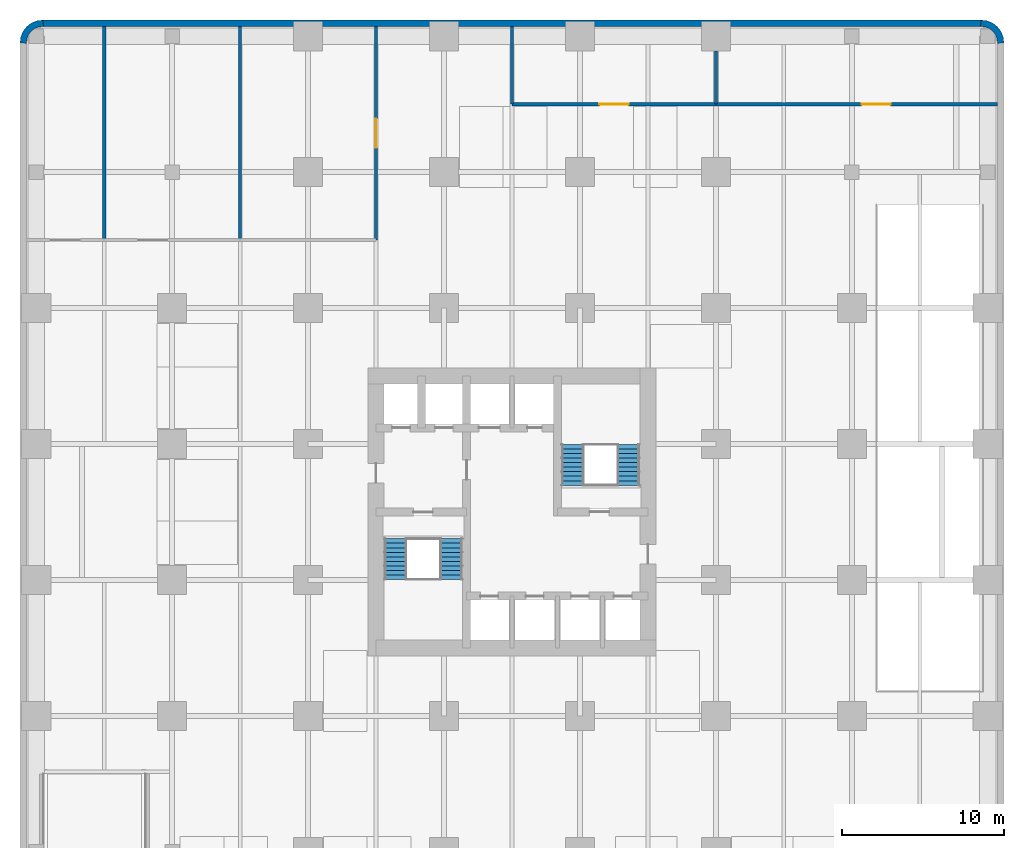
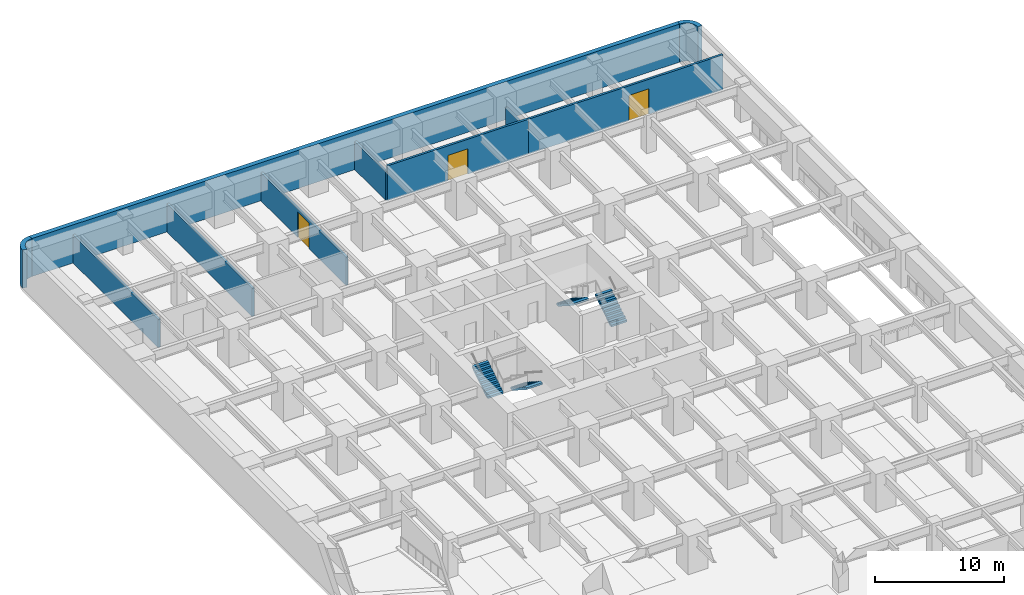
# One storey, part 6 of 9: 10 walls, 4 stair flights, 3 doors, 3 openings, 2 elements without a shape of their own.
"""IFC4 building model written with IfcOpenShell, lengths in metres."""

from ifc_helpers import new_model, si_unit, direction, frame, frame_2d, origin, place, context, subcontext, project, spatial, polyline, rectangle, outline, extrude, material, layer, layer_set, type_object, element, fill, aggregate, save


model = new_model("IFC4")

# Units and contexts
model_context = context("Model", 3, precision=1e-05, world=origin(), true_north=direction((0.0, 1.0)))
body_context = subcontext(model_context, "Body", "Model", "MODEL_VIEW")
ifc_project = project(units=[si_unit("LENGTHUNIT", "METRE"), si_unit("AREAUNIT", "SQUARE_METRE"), si_unit("VOLUMEUNIT", "CUBIC_METRE"), si_unit("PLANEANGLEUNIT", "RADIAN"), si_unit("MASSUNIT", "GRAM", prefix="KILO")], contexts=[model_context])

# Site, building, storey
site_placement = place(None, origin())
site = spatial("IfcSite", under=ifc_project, at=site_placement, CompositionType="ELEMENT")
building_placement = place(site_placement, origin())
building = spatial("IfcBuilding", under=site, at=building_placement, Name="Torre Alcanfor", CompositionType="ELEMENT")
storey_placement = place(building_placement, frame((0.0, 0.0, -3.60009765625)))
storey = spatial("IfcBuildingStorey", under=building, at=storey_placement, Name="B1", CompositionType="ELEMENT", Elevation=-3.60009765625)

# Walls
ifc_material_1 = material(Name="Concrete f'c 70 MPa", Category="concrete")
ifc_layer_1 = layer(ifc_material_1, 0.39990234375)
ifc_layer_set_1 = layer_set([ifc_layer_1], Name="Basement retaining wall 400")
wall_type_1 = type_object("IfcWallType", Name="Basement retaining wall 400", PredefinedType="SOLIDWALL", material=ifc_layer_set_1)
wall_1_placement = place(storey_placement, frame((58.39990234375, 59.60009765625, 0.0), z_axis=(0.0, 0.0, 1.0), x_axis=(-1.0, 0.0, 0.0)))
element("IfcWall", 1, at=wall_1_placement, inside=storey, type_object=wall_type_1, Name="Retaining wall B1 2", PredefinedType="SOLIDWALL", context=body_context, shape_type="SweptSolid", body=[
    extrude(rectangle(XDim=58.0, YDim=0.39990234375, at=frame_2d((29.0, 0.0))), origin(), (0.0, 0.0, 1.0), 3.60009765625),
])
wall_2_placement = place(storey_placement, origin())
element("IfcWall", 2, at=wall_2_placement, inside=storey, type_object=wall_type_1, Name="Retaining wall corner B1 5", PredefinedType="SOLIDWALL", context=body_context, shape_type="SweptSolid", body=[
    extrude(outline(polyline([(58.39990234375, 59.800048828125), (58.347412109375, 59.39990234375), (58.373779296875, 59.39990234375), (58.657958984375, 59.362548828125), (58.898193359375, 59.262939453125), (59.1044921875, 59.1044921875), (59.262939453125, 58.898193359375), (59.362548828125, 58.657958984375), (59.39990234375, 58.373779296875), (59.39990234375, 58.347412109375), (59.800048828125, 58.39990234375), (59.752197265625, 58.76220703125), (59.6123046875, 59.10009765625), (59.389892578125, 59.389892578125), (59.10009765625, 59.6123046875), (58.76220703125, 59.752197265625), (58.39990234375, 59.800048828125)])), origin(), (0.0, 0.0, 1.0), 3.60009765625),
])
wall_3_placement = place(storey_placement, origin())
element("IfcWall", 3, at=wall_3_placement, inside=storey, type_object=wall_type_1, Name="Retaining wall corner B1 6", PredefinedType="SOLIDWALL", context=body_context, shape_type="SweptSolid", body=[
    extrude(outline(polyline([(-1.0, 58.39990234375), (-0.60009765625, 58.347412109375), (-0.60009765625, 58.373779296875), (-0.5625, 58.657958984375), (-0.462890625, 58.898193359375), (-0.3046875, 59.1044921875), (-0.09814453125, 59.262939453125), (0.14208984375, 59.362548828125), (0.42626953125, 59.39990234375), (0.45263671875, 59.39990234375), (0.39990234375, 59.800048828125), (0.03759765625, 59.752197265625), (-0.300048828125, 59.6123046875), (-0.58984375, 59.389892578125), (-0.8125, 59.10009765625), (-0.952392578125, 58.76220703125), (-1.0, 58.39990234375)])), origin(), (0.0, 0.0, 1.0), 3.60009765625),
])

# Wall, opening, door
ifc_material_2 = material(Name="Concrete block masonry, hollow blocks NMX-C-404 9 MPa", Category="masonry")
ifc_layer_2 = layer(ifc_material_2, 0.199951171875)
ifc_layer_set_2 = layer_set([ifc_layer_2], Name="Plant room wall 200 EI 60")
wall_type_2 = type_object("IfcWallType", Name="Plant room wall 200 EI 60", PredefinedType="PARTITIONING", material=ifc_layer_set_2)
wall_4_placement = place(storey_placement, frame((42.0, 54.60009765625, 0.0), z_axis=(0.0, 0.0, 1.0), x_axis=(1.0, 0.0, 0.0)))
wall_4 = element("IfcWall", 4, at=wall_4_placement, inside=storey, type_object=wall_type_2, Name="Partition B1-PARK / B1-SUB", PredefinedType="PARTITIONING", context=body_context, shape_type="SweptSolid", body=[
    extrude(rectangle(XDim=17.39990234375, YDim=0.199951171875, at=frame_2d((8.699951171875, 0.0))), origin(), (0.0, 0.0, 1.0), 3.300048828125),
])
opening_1_placement = place(wall_4_placement, frame((9.0, 0.0, 0.0)))
opening_1 = element("IfcOpeningElement", 5, at=opening_1_placement, cuts=wall_4, Name="Opening D-P1", PredefinedType="OPENING", context=body_context, shape_type="SweptSolid", body=[
    extrude(rectangle(XDim=1.800048828125, YDim=2.39990234375, at=frame_2d((0.89990234375, 1.199951171875))), frame((0.0, 0.10986328125, 0.0), z_axis=(0.0, -1.0, 0.0), x_axis=(1.0, 0.0, 0.0)), (0.0, 0.0, 1.0), 0.219970703125),
])
ifc_material_3 = material(Name="Galvanised steel sheet ASTM A653", Category="steel")
door_type = type_object("IfcDoorType", Name="Plant room door FD60 1800x2400", OperationType="DOUBLE_DOOR_SINGLE_SWING", PredefinedType="DOOR", material=ifc_material_3)
door_1_placement = place(opening_1_placement, origin())
door_1 = element("IfcDoor", 6, at=door_1_placement, inside=storey, type_object=door_type, Name="Door B1-SUB electrical substation", OperationType="DOUBLE_DOOR_SINGLE_SWING", OverallHeight=2.39990234375, OverallWidth=1.800048828125, PredefinedType="DOOR", context=body_context, shape_type="SweptSolid", body=[
    extrude(rectangle(XDim=1.800048828125, YDim=2.39990234375, at=frame_2d((0.89990234375, 1.199951171875))), frame((0.0, 0.02490234375, 0.0), z_axis=(0.0, -1.0, 0.0), x_axis=(1.0, 0.0, 0.0)), (0.0, 0.0, 1.0), 0.050048828125),
])
fill(opening_1, door_1)

wall_5_placement = place(storey_placement, frame((21.0, 46.199951171875, 0.0), z_axis=(0.0, 0.0, 1.0), x_axis=(0.0, 1.0, 0.0)))
wall_5 = element("IfcWall", 7, at=wall_5_placement, inside=storey, type_object=wall_type_2, Name="Partition B1-PARK / B1-R03", PredefinedType="PARTITIONING", context=body_context, shape_type="SweptSolid", body=[
    extrude(rectangle(XDim=13.199951171875, YDim=0.199951171875, at=frame_2d((6.60009765625, 0.0))), origin(), (0.0, 0.0, 1.0), 2.68798828125),
])
opening_2_placement = place(wall_5_placement, frame((5.699951171875, 0.0, 0.0)))
opening_2 = element("IfcOpeningElement", 8, at=opening_2_placement, cuts=wall_5, Name="Opening D-P1", PredefinedType="OPENING", context=body_context, shape_type="SweptSolid", body=[
    extrude(rectangle(XDim=1.800048828125, YDim=2.39990234375, at=frame_2d((0.89990234375, 1.199951171875))), frame((0.0, 0.10986328125, 0.0), z_axis=(0.0, -1.0, 0.0), x_axis=(1.0, 0.0, 0.0)), (0.0, 0.0, 1.0), 0.219970703125),
])
door_2_placement = place(opening_2_placement, origin())
door_2 = element("IfcDoor", 9, at=door_2_placement, inside=storey, type_object=door_type, Name="Door B1-R03 generator room 2", OperationType="DOUBLE_DOOR_SINGLE_SWING", OverallHeight=2.39990234375, OverallWidth=1.800048828125, PredefinedType="DOOR", context=body_context, shape_type="SweptSolid", body=[
    extrude(rectangle(XDim=1.800048828125, YDim=2.39990234375, at=frame_2d((0.89990234375, 1.199951171875))), frame((0.0, 0.02490234375, 0.0), z_axis=(0.0, -1.0, 0.0), x_axis=(1.0, 0.0, 0.0)), (0.0, 0.0, 1.0), 0.050048828125),
])
fill(opening_2, door_2)

# Wall
wall_6_placement = place(storey_placement, frame((29.39990234375, 59.39990234375, 0.0), z_axis=(0.0, 0.0, 1.0), x_axis=(0.0, -1.0, 0.0)))
element("IfcWall", 10, at=wall_6_placement, inside=storey, type_object=wall_type_2, Name="Partition B1-PARK / B1-R04", PredefinedType="PARTITIONING", context=body_context, shape_type="SweptSolid", body=[
    extrude(rectangle(XDim=4.7998046875, YDim=0.199951171875, at=frame_2d((2.39990234375, 0.0))), origin(), (0.0, 0.0, 1.0), 2.68798828125),
])

# Wall, opening, door
wall_7_placement = place(storey_placement, frame((29.39990234375, 54.60009765625, 0.0), z_axis=(0.0, 0.0, 1.0), x_axis=(1.0, 0.0, 0.0)))
wall_7 = element("IfcWall", 11, at=wall_7_placement, inside=storey, type_object=wall_type_2, Name="Partition B1-PARK / B1-R04", PredefinedType="PARTITIONING", context=body_context, shape_type="SweptSolid", body=[
    extrude(rectangle(XDim=12.60009765625, YDim=0.199951171875, at=frame_2d((6.300048828125, 0.0))), origin(), (0.0, 0.0, 1.0), 3.300048828125),
])
opening_3_placement = place(wall_7_placement, frame((5.39990234375, 0.0, 0.0)))
opening_3 = element("IfcOpeningElement", 12, at=opening_3_placement, cuts=wall_7, Name="Opening D-P1", PredefinedType="OPENING", context=body_context, shape_type="SweptSolid", body=[
    extrude(rectangle(XDim=1.800048828125, YDim=2.39990234375, at=frame_2d((0.89990234375, 1.199951171875))), frame((0.0, 0.10986328125, 0.0), z_axis=(0.0, -1.0, 0.0), x_axis=(1.0, 0.0, 0.0)), (0.0, 0.0, 1.0), 0.219970703125),
])
door_3_placement = place(opening_3_placement, origin())
door_3 = element("IfcDoor", 13, at=door_3_placement, inside=storey, type_object=door_type, Name="Door B1-R04 lv switch room", OperationType="DOUBLE_DOOR_SINGLE_SWING", OverallHeight=2.39990234375, OverallWidth=1.800048828125, PredefinedType="DOOR", context=body_context, shape_type="SweptSolid", body=[
    extrude(rectangle(XDim=1.800048828125, YDim=2.39990234375, at=frame_2d((0.89990234375, 1.199951171875))), frame((0.0, 0.02490234375, 0.0), z_axis=(0.0, -1.0, 0.0), x_axis=(1.0, 0.0, 0.0)), (0.0, 0.0, 1.0), 0.050048828125),
])
fill(opening_3, door_3)

# Walls
wall_8_placement = place(storey_placement, frame((42.0, 54.60009765625, 0.0), z_axis=(0.0, 0.0, 1.0), x_axis=(0.0, 1.0, 0.0)))
element("IfcWall", 14, at=wall_8_placement, inside=storey, type_object=wall_type_2, Name="Partition B1-SUB / B1-R04", PredefinedType="PARTITIONING", context=body_context, shape_type="SweptSolid", body=[
    extrude(rectangle(XDim=3.2998046875, YDim=0.199951171875, at=frame_2d((1.64990234375, 0.0))), origin(), (0.0, 0.0, 1.0), 2.38818359375),
])
for number, where, z_axis, x_axis, name in (
    (15, (4.199951171875, 59.39990234375, 0.0), (0.0, 0.0, 1.0), (0.0, -1.0, 0.0), "Partition B1-R01 / B1-R02"),
    (16, (12.60009765625, 59.39990234375, 0.0), (0.0, 0.0, 1.0), (0.0, -1.0, 0.0), "Partition B1-R02 / B1-R03"),
):
    element("IfcWall", number, at=place(storey_placement, frame(where, z_axis=z_axis, x_axis=x_axis)), inside=storey, type_object=wall_type_2, Name=name, PredefinedType="PARTITIONING", context=body_context, shape_type="SweptSolid", body=[
        extrude(rectangle(XDim=13.199951171875, YDim=0.199951171875, at=frame_2d((6.60009765625, 0.0))), origin(), (0.0, 0.0, 1.0), 2.68798828125),
    ])

# Stair, stair flights
ifc_material_4 = material(Name="Concrete f'c 35 MPa", Category="concrete")
stair_type_1 = type_object("IfcStairType", Name="Exit stair S1 1400 wide", PredefinedType="HALF_TURN_STAIR", material=ifc_material_4)
stair_1_placement = place(storey_placement, origin())
stair_1 = element("IfcStair", 17, at=stair_1_placement, inside=storey, type_object=stair_type_1, Name="Stair S1 B1 to L00", PredefinedType="HALF_TURN_STAIR")
ifc_material_5 = material(Name="Concrete f'c 35 MPa", Category="concrete")
stair_flight_type = type_object("IfcStairFlightType", Name="Stair flight 1400", PredefinedType="STRAIGHT", material=ifc_material_5)
stair_flight_1_placement = place(storey_placement, frame((25.64990234375, 27.75, 0.0), z_axis=(0.0, 0.0, 1.0), x_axis=(0.0, -1.0, 0.0)))
stair_flight_1 = element("IfcStairFlight", 18, at=stair_flight_1_placement, type_object=stair_flight_type, Name="S1 flight 1", NumberOfRisers=10, NumberOfTreads=9, PredefinedType="STRAIGHT", RiserHeight=0.18, TreadLength=0.28, context=body_context, shape_type="SweptSolid", body=[
    extrude(outline(polyline([(0.0, 0.0), (0.0, 0.179931640625), (0.280029296875, 0.179931640625), (0.280029296875, 0.360107421875), (0.56005859375, 0.360107421875), (0.56005859375, 0.5400390625), (0.840087890625, 0.5400390625), (0.840087890625, 0.719970703125), (1.1201171875, 0.719970703125), (1.1201171875, 0.89990234375), (1.39990234375, 0.89990234375), (1.39990234375, 1.080078125), (1.679931640625, 1.080078125), (1.679931640625, 1.260009765625), (1.9599609375, 1.260009765625), (1.9599609375, 1.43994140625), (2.239990234375, 1.43994140625), (2.239990234375, 1.6201171875), (2.52001953125, 1.6201171875), (2.52001953125, 1.800048828125), (2.52001953125, 1.44189453125), (0.277099609375, 0.0), (0.0, 0.0)])), frame((0.0, 0.699951171875, 0.0), z_axis=(0.0, -1.0, 0.0), x_axis=(1.0, 0.0, 0.0)), (0.0, 0.0, 1.0), 1.39990234375),
])
stair_flight_2_placement = place(storey_placement, frame((22.199951171875, 25.22998046875, 1.800048828125), z_axis=(0.0, 0.0, 1.0), x_axis=(0.0, 1.0, 0.0)))
stair_flight_2 = element("IfcStairFlight", 19, at=stair_flight_2_placement, type_object=stair_flight_type, Name="S1 flight 2", NumberOfRisers=10, NumberOfTreads=9, PredefinedType="STRAIGHT", RiserHeight=0.18, TreadLength=0.28, context=body_context, shape_type="SweptSolid", body=[
    extrude(outline(polyline([(0.0, 0.0), (0.0, 0.179931640625), (0.280029296875, 0.179931640625), (0.280029296875, 0.360107421875), (0.56005859375, 0.360107421875), (0.56005859375, 0.5400390625), (0.840087890625, 0.5400390625), (0.840087890625, 0.719970703125), (1.1201171875, 0.719970703125), (1.1201171875, 0.89990234375), (1.39990234375, 0.89990234375), (1.39990234375, 1.080078125), (1.679931640625, 1.080078125), (1.679931640625, 1.260009765625), (1.9599609375, 1.260009765625), (1.9599609375, 1.43994140625), (2.239990234375, 1.43994140625), (2.239990234375, 1.6201171875), (2.52001953125, 1.6201171875), (2.52001953125, 1.800048828125), (2.52001953125, 1.44189453125), (0.277099609375, 0.0), (0.0, 0.0)])), frame((0.0, 0.699951171875, 0.0), z_axis=(0.0, -1.0, 0.0), x_axis=(1.0, 0.0, 0.0)), (0.0, 0.0, 1.0), 1.39990234375),
])
aggregate(stair_1, [stair_flight_1, stair_flight_2])

ifc_material_6 = material(Name="Concrete f'c 35 MPa", Category="concrete")
stair_type_2 = type_object("IfcStairType", Name="Exit stair S2 1400 wide", PredefinedType="HALF_TURN_STAIR", material=ifc_material_6)
stair_2_placement = place(storey_placement, origin())
stair_2 = element("IfcStair", 20, at=stair_2_placement, inside=storey, type_object=stair_type_2, Name="Stair S2 B1 to L00", PredefinedType="HALF_TURN_STAIR")
stair_flight_3_placement = place(storey_placement, frame((36.60009765625, 31.050048828125, 0.0), z_axis=(0.0, 0.0, 1.0), x_axis=(0.0, 1.0, 0.0)))
stair_flight_3 = element("IfcStairFlight", 21, at=stair_flight_3_placement, type_object=stair_flight_type, Name="S2 flight 1", NumberOfRisers=10, NumberOfTreads=9, PredefinedType="STRAIGHT", RiserHeight=0.18, TreadLength=0.28, context=body_context, shape_type="SweptSolid", body=[
    extrude(outline(polyline([(0.0, 0.0), (0.0, 0.179931640625), (0.280029296875, 0.179931640625), (0.280029296875, 0.360107421875), (0.56005859375, 0.360107421875), (0.56005859375, 0.5400390625), (0.840087890625, 0.5400390625), (0.840087890625, 0.719970703125), (1.1201171875, 0.719970703125), (1.1201171875, 0.89990234375), (1.39990234375, 0.89990234375), (1.39990234375, 1.080078125), (1.679931640625, 1.080078125), (1.679931640625, 1.260009765625), (1.9599609375, 1.260009765625), (1.9599609375, 1.43994140625), (2.239990234375, 1.43994140625), (2.239990234375, 1.6201171875), (2.52001953125, 1.6201171875), (2.52001953125, 1.800048828125), (2.52001953125, 1.44189453125), (0.277099609375, 0.0), (0.0, 0.0)])), frame((0.0, 0.699951171875, 0.0), z_axis=(0.0, -1.0, 0.0), x_axis=(1.0, 0.0, 0.0)), (0.0, 0.0, 1.0), 1.39990234375),
])
stair_flight_4_placement = place(storey_placement, frame((33.14990234375, 33.570068359375, 1.800048828125), z_axis=(0.0, 0.0, 1.0), x_axis=(0.0, -1.0, 0.0)))
stair_flight_4 = element("IfcStairFlight", 22, at=stair_flight_4_placement, type_object=stair_flight_type, Name="S2 flight 2", NumberOfRisers=10, NumberOfTreads=9, PredefinedType="STRAIGHT", RiserHeight=0.18, TreadLength=0.28, context=body_context, shape_type="SweptSolid", body=[
    extrude(outline(polyline([(0.0, 0.0), (0.0, 0.179931640625), (0.280029296875, 0.179931640625), (0.280029296875, 0.360107421875), (0.56005859375, 0.360107421875), (0.56005859375, 0.5400390625), (0.840087890625, 0.5400390625), (0.840087890625, 0.719970703125), (1.1201171875, 0.719970703125), (1.1201171875, 0.89990234375), (1.39990234375, 0.89990234375), (1.39990234375, 1.080078125), (1.679931640625, 1.080078125), (1.679931640625, 1.260009765625), (1.9599609375, 1.260009765625), (1.9599609375, 1.43994140625), (2.239990234375, 1.43994140625), (2.239990234375, 1.6201171875), (2.52001953125, 1.6201171875), (2.52001953125, 1.800048828125), (2.52001953125, 1.44189453125), (0.277099609375, 0.0), (0.0, 0.0)])), frame((0.0, 0.699951171875, 0.0), z_axis=(0.0, -1.0, 0.0), x_axis=(1.0, 0.0, 0.0)), (0.0, 0.0, 1.0), 1.39990234375),
])
aggregate(stair_2, [stair_flight_3, stair_flight_4])

save(model, "model.ifc")
